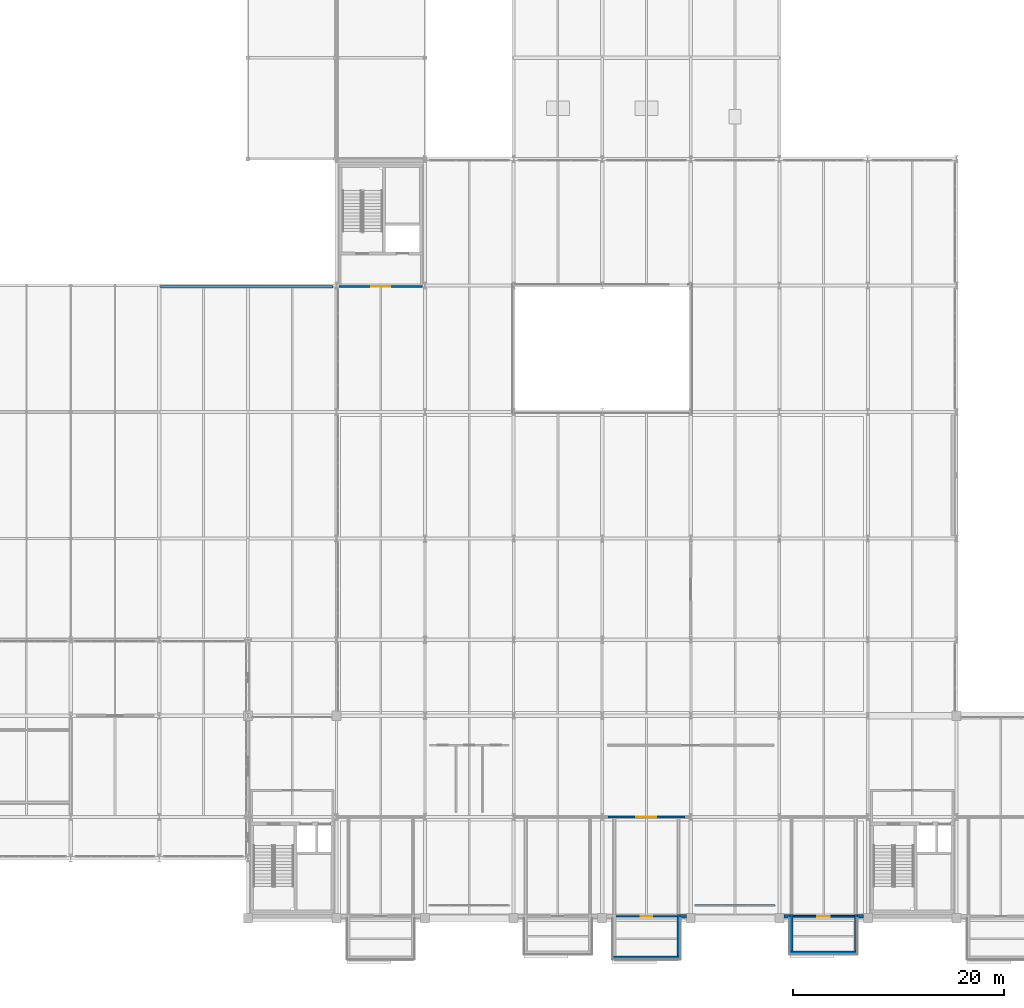
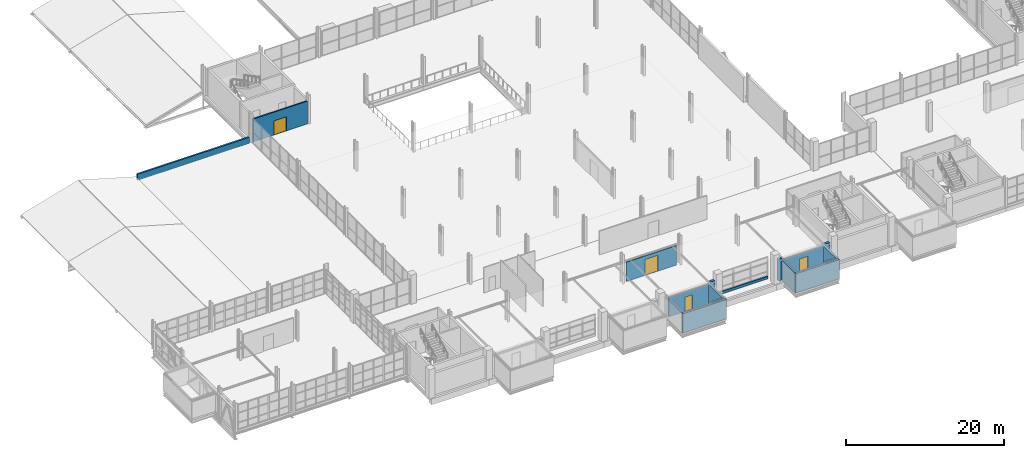
# One storey, part 119 of 130: 14 walls, 4 doors, 4 openings.
"""IFC4 building model written with IfcOpenShell, lengths in metres."""

from ifc_helpers import new_model, si_unit, direction, frame, frame_2d, origin, place, context, subcontext, project, spatial, rectangle, extrude, material, layer, layer_set, type_object, element, fill, save


model = new_model("IFC4")

# Units and contexts
model_context = context("Model", 3, precision=1e-05, world=origin(), true_north=direction((0.0, 1.0)))
body_context = subcontext(model_context, "Body", "Model", "MODEL_VIEW")
ifc_project = project(units=[si_unit("LENGTHUNIT", "METRE"), si_unit("AREAUNIT", "SQUARE_METRE"), si_unit("VOLUMEUNIT", "CUBIC_METRE"), si_unit("PLANEANGLEUNIT", "RADIAN"), si_unit("MASSUNIT", "GRAM", prefix="KILO")], contexts=[model_context])

# Site, building, storey
site_placement = place(None, origin())
site = spatial("IfcSite", under=ifc_project, at=site_placement, CompositionType="ELEMENT")
building_placement = place(site_placement, origin())
building = spatial("IfcBuilding", under=site, at=building_placement, Name="Veltarok Museum of Natural Sciences", CompositionType="ELEMENT")
storey_placement = place(building_placement, frame((0.0, 0.0, 12.89990234375)))
storey = spatial("IfcBuildingStorey", under=building, at=storey_placement, Name="L02", CompositionType="ELEMENT", Elevation=12.89990234375)

# Walls
ifc_material_1 = material(Name="Precast concrete C40/50", Category="concrete")
ifc_layer_1 = layer(ifc_material_1, 0.280029296875)
ifc_layer_set_1 = layer_set([ifc_layer_1], Name="Precast concrete C40/50")
wall_type_1 = type_object("IfcWallType", Name="Cabinet Box Insulated Backup Wall 280", PredefinedType="SOLIDWALL", material=ifc_layer_set_1)
wall_1_placement = place(storey_placement, frame((83.0, -3.260009765625, 0.0), z_axis=(0.0, 0.0, 1.0), x_axis=(1.0, 0.0, 0.0)))
element("IfcWall", 1, at=wall_1_placement, inside=storey, type_object=wall_type_1, Name="Cabinet Box Wall DB-10-S", PredefinedType="SOLIDWALL", context=body_context, shape_type="SweptSolid", body=[
    extrude(rectangle(XDim=6.39990234375, YDim=0.280029296875, at=frame_2d((3.199951171875, 0.0))), origin(), (0.0, 0.0, 1.0), 2.989990234375),
])
for number, where, z_axis, x_axis, name in (
    (2, (83.139892578125, 0.360107421875, 0.0), (0.0, 0.0, 1.0), (0.0, -1.0, 0.0), "Cabinet Box Wall DB-10-W"),
    (3, (89.260009765625, -3.1201171875, 0.0), (0.0, 0.0, 1.0), (0.0, 1.0, 0.0), "Cabinet Box Wall DB-10-E"),
):
    element("IfcWall", number, at=place(storey_placement, frame(where, z_axis=z_axis, x_axis=x_axis)), inside=storey, type_object=wall_type_1, Name=name, PredefinedType="SOLIDWALL", context=body_context, shape_type="SweptSolid", body=[
        extrude(rectangle(XDim=3.480224609375, YDim=0.280029296875, at=frame_2d((1.740234375, 0.0))), origin(), (0.0, 0.0, 1.0), 2.989990234375),
    ])
ifc_layer_2 = layer(ifc_material_1, 0.300048828125)
ifc_layer_set_2 = layer_set([ifc_layer_2], Name="Precast concrete C40/50")
wall_type_2 = type_object("IfcWallType", Name="Deep Cabinet Box Insulated Wall 300", PredefinedType="SOLIDWALL", material=ifc_layer_set_2)
wall_2_placement = place(storey_placement, frame((66.199951171875, -3.75, 0.0), z_axis=(0.0, 0.0, 1.0), x_axis=(1.0, 0.0, 0.0)))
element("IfcWall", 4, at=wall_2_placement, inside=storey, type_object=wall_type_2, Name="Cabinet Box Wall DB-09-S", PredefinedType="SOLIDWALL", context=body_context, shape_type="SweptSolid", body=[
    extrude(rectangle(XDim=6.400146484375, YDim=0.300048828125, at=frame_2d((3.2001953125, 0.0))), origin(), (0.0, 0.0, 1.0), 2.989990234375),
])
wall_3_placement = place(storey_placement, frame((72.449951171875, -3.60009765625, 0.0), z_axis=(0.0, 0.0, 1.0), x_axis=(0.0, 1.0, 0.0)))
element("IfcWall", 5, at=wall_3_placement, inside=storey, type_object=wall_type_2, Name="Cabinet Box Wall DB-09-E", PredefinedType="SOLIDWALL", context=body_context, shape_type="SweptSolid", body=[
    extrude(rectangle(XDim=3.960205078125, YDim=0.300048828125, at=frame_2d((1.97998046875, 0.0))), origin(), (0.0, 0.0, 1.0), 2.989990234375),
])

# Wall, opening, door
ifc_material_2 = material(Name="Acoustic gypsum and mineral wool")
ifc_layer_3 = layer(ifc_material_2, 0.179931640625)
ifc_layer_set_3 = layer_set([ifc_layer_3], Name="Acoustic gypsum and mineral wool")
wall_type_3 = type_object("IfcWallType", Name="Exhibition Gallery Partition 180", PredefinedType="PARTITIONING", material=ifc_layer_set_3)
wall_4_placement = place(storey_placement, frame((66.5, 0.179931640625, 0.0), z_axis=(0.0, 0.0, 1.0), x_axis=(1.0, 0.0, 0.0)))
wall_4 = element("IfcWall", 6, at=wall_4_placement, inside=storey, type_object=wall_type_3, Name="Cabinet Threshold Partition DB-09", PredefinedType="PARTITIONING", context=body_context, shape_type="SweptSolid", body=[
    extrude(rectangle(XDim=5.800048828125, YDim=0.179931640625, at=frame_2d((2.89990234375, 0.0))), origin(), (0.0, 0.0, 1.0), 2.989990234375),
])
opening_1_placement = place(wall_4_placement, frame((2.35009765625, 0.0, 0.0)))
opening_1 = element("IfcOpeningElement", 7, at=opening_1_placement, cuts=wall_4, Name="Opening D-L02-080", PredefinedType="OPENING", context=body_context, shape_type="SweptSolid", body=[
    extrude(rectangle(XDim=1.10009765625, YDim=2.199951171875, at=frame_2d((0.550048828125, 1.10009765625))), frame((0.0, 0.10009765625, 0.0), z_axis=(0.0, -1.0, 0.0), x_axis=(1.0, 0.0, 0.0)), (0.0, 0.0, 1.0), 0.199951171875),
])
ifc_material_3 = material(Name="Airtight powder-coated steel", Category="steel")
door_type_1 = type_object("IfcDoorType", Name="Cabinet Box Conservation Door 1100x2200", OperationType="NOTDEFINED", PredefinedType="DOOR", material=ifc_material_3)
door_1_placement = place(opening_1_placement, origin())
door_1 = element("IfcDoor", 8, at=door_1_placement, inside=storey, type_object=door_type_1, Name="Cabinet Conservation Door DB-09", OperationType="SINGLE_SWING_RIGHT", OverallHeight=2.199951171875, OverallWidth=1.10009765625, PredefinedType="DOOR", context=body_context, shape_type="SweptSolid", body=[
    extrude(rectangle(XDim=1.10009765625, YDim=2.199951171875, at=frame_2d((0.550048828125, 1.10009765625))), frame((0.0, 0.02490234375, 0.0), z_axis=(0.0, -1.0, 0.0), x_axis=(1.0, 0.0, 0.0)), (0.0, 0.0, 1.0), 0.050048828125),
])
fill(opening_1, door_1)

wall_5_placement = place(storey_placement, frame((83.280029296875, 0.179931640625, 0.0), z_axis=(0.0, 0.0, 1.0), x_axis=(1.0, 0.0, 0.0)))
wall_5 = element("IfcWall", 9, at=wall_5_placement, inside=storey, type_object=wall_type_3, Name="Cabinet Threshold Partition DB-10", PredefinedType="PARTITIONING", context=body_context, shape_type="SweptSolid", body=[
    extrude(rectangle(XDim=5.840087890625, YDim=0.179931640625, at=frame_2d((2.919921875, 0.0))), origin(), (0.0, 0.0, 1.0), 2.989990234375),
])
opening_2_placement = place(wall_5_placement, frame((2.330078125, 0.0, 0.0)))
opening_2 = element("IfcOpeningElement", 10, at=opening_2_placement, cuts=wall_5, Name="Opening D-L02-081", PredefinedType="OPENING", context=body_context, shape_type="SweptSolid", body=[
    extrude(rectangle(XDim=1.179931640625, YDim=2.25, at=frame_2d((0.58984375, 1.125))), frame((0.0, 0.10009765625, 0.0), z_axis=(0.0, -1.0, 0.0), x_axis=(1.0, 0.0, 0.0)), (0.0, 0.0, 1.0), 0.199951171875),
])
door_type_2 = type_object("IfcDoorType", Name="Large Cabinet Conservation Door 1180x2250", OperationType="NOTDEFINED", PredefinedType="DOOR", material=ifc_material_3)
door_2_placement = place(opening_2_placement, origin())
door_2 = element("IfcDoor", 11, at=door_2_placement, inside=storey, type_object=door_type_2, Name="Cabinet Conservation Door DB-10", OperationType="SINGLE_SWING_LEFT", OverallHeight=2.25, OverallWidth=1.179931640625, PredefinedType="DOOR", context=body_context, shape_type="SweptSolid", body=[
    extrude(rectangle(XDim=1.179931640625, YDim=2.25, at=frame_2d((0.58984375, 1.125))), frame((0.0, 0.02490234375, 0.0), z_axis=(0.0, -1.0, 0.0), x_axis=(1.0, 0.0, 0.0)), (0.0, 0.0, 1.0), 0.050048828125),
])
fill(opening_2, door_2)

wall_6_placement = place(storey_placement, frame((65.75, 9.60009765625, 0.0), z_axis=(0.0, 0.0, 1.0), x_axis=(1.0, 0.0, 0.0)))
wall_6 = element("IfcWall", 12, at=wall_6_placement, inside=storey, type_object=wall_type_3, Name="Interior Partition L02-037", PredefinedType="PARTITIONING", context=body_context, shape_type="SweptSolid", body=[
    extrude(rectangle(XDim=7.300048828125, YDim=0.179931640625, at=frame_2d((3.64990234375, 0.0))), origin(), (0.0, 0.0, 1.0), 2.9921875),
])
opening_3_placement = place(wall_6_placement, frame((2.699951171875, 0.0, 0.0)))
opening_3 = element("IfcOpeningElement", 13, at=opening_3_placement, cuts=wall_6, Name="Opening D-L02-163", PredefinedType="OPENING", context=body_context, shape_type="SweptSolid", body=[
    extrude(rectangle(XDim=1.89990234375, YDim=2.449951171875, at=frame_2d((0.949951171875, 1.22509765625))), frame((0.0, 0.10009765625, 0.0), z_axis=(0.0, -1.0, 0.0), x_axis=(1.0, 0.0, 0.0)), (0.0, 0.0, 1.0), 0.199951171875),
])
ifc_material_4 = material(Name="Solid European oak and acoustic glass", Category="glass")
door_type_3 = type_object("IfcDoorType", Name="Exhibition Hall Double Door 1900x2450", OperationType="NOTDEFINED", PredefinedType="DOOR", material=ifc_material_4)
door_3_placement = place(opening_3_placement, origin())
door_3 = element("IfcDoor", 14, at=door_3_placement, inside=storey, type_object=door_type_3, Name="Interior Door D-L02-163", OperationType="DOUBLE_DOOR_SINGLE_SWING", OverallHeight=2.449951171875, OverallWidth=1.89990234375, PredefinedType="DOOR", context=body_context, shape_type="SweptSolid", body=[
    extrude(rectangle(XDim=1.89990234375, YDim=2.449951171875, at=frame_2d((0.949951171875, 1.22509765625))), frame((0.0, 0.02490234375, 0.0), z_axis=(0.0, -1.0, 0.0), x_axis=(1.0, 0.0, 0.0)), (0.0, 0.0, 1.0), 0.050048828125),
])
fill(opening_3, door_3)

# Walls
ifc_material_5 = material(Name="Concrete C40/50", Category="concrete")
ifc_layer_4 = layer(ifc_material_5, 0.360107421875)
ifc_layer_set_4 = layer_set([ifc_layer_4], Name="Concrete C40/50")
wall_type_4 = type_object("IfcWallType", Name="Exposed Architectural Concrete Facade Wall 360", PredefinedType="SOLIDWALL", material=ifc_layer_set_4)
for number, where, z_axis, x_axis, name in (
    (15, (72.60009765625, 0.179931640625, 0.0), (0.0, 0.0, 1.0), (1.0, 0.0, 0.0), "Cabinet Collar Wall L02 8-9R"),
    (16, (82.425048828125, 0.179931640625, 0.0), (0.0, 0.0, 1.0), (1.0, 0.0, 0.0), "Cabinet Collar Wall L02 10-11L"),
):
    element("IfcWall", number, at=place(storey_placement, frame(where, z_axis=z_axis, x_axis=x_axis)), inside=storey, type_object=wall_type_4, Name=name, PredefinedType="SOLIDWALL", context=body_context, shape_type="SweptSolid", body=[
        extrude(rectangle(XDim=0.574951171875, YDim=0.360107421875, at=frame_2d((0.28759765625, 0.0))), origin(), (0.0, 0.0, 1.0), 3.335205078125),
    ])
wall_7_placement = place(storey_placement, frame((89.39990234375, 0.179931640625, 0.0), z_axis=(0.0, 0.0, 1.0), x_axis=(1.0, 0.0, 0.0)))
element("IfcWall", 17, at=wall_7_placement, inside=storey, type_object=wall_type_4, Name="Cabinet Collar Wall L02 10-11R", PredefinedType="SOLIDWALL", context=body_context, shape_type="SweptSolid", body=[
    extrude(rectangle(XDim=0.5751953125, YDim=0.360107421875, at=frame_2d((0.28759765625, 0.0))), origin(), (0.0, 0.0, 1.0), 3.335205078125),
])

# Wall, opening, door
ifc_material_6 = material(Name="Concrete C35/45", Category="concrete")
ifc_layer_5 = layer(ifc_material_6, 0.199951171875)
ifc_layer_set_5 = layer_set([ifc_layer_5], Name="Concrete C35/45")
wall_type_5 = type_object("IfcWallType", Name="Firefighting Lobby Compartment Wall 200", PredefinedType="SOLIDWALL", material=ifc_layer_set_5)
wall_8_placement = place(storey_placement, frame((48.169921875, 59.89990234375, 0.0), z_axis=(0.0, 0.0, 1.0), x_axis=(-1.0, 0.0, 0.0)))
wall_8 = element("IfcWall", 18, at=wall_8_placement, inside=storey, type_object=wall_type_5, Name="Firefighting Lobby Wall C3 L02 S", PredefinedType="SOLIDWALL", context=body_context, shape_type="SweptSolid", body=[
    extrude(rectangle(XDim=7.93994140625, YDim=0.199951171875, at=frame_2d((3.969970703125, 0.0))), origin(), (0.0, 0.0, 1.0), 3.531982421875),
])
opening_4_placement = place(wall_8_placement, frame((3.070068359375, 0.0, 0.0)))
opening_4 = element("IfcOpeningElement", 19, at=opening_4_placement, cuts=wall_8, Name="Opening D-L02-040", PredefinedType="OPENING", context=body_context, shape_type="SweptSolid", body=[
    extrude(rectangle(XDim=1.800048828125, YDim=2.199951171875, at=frame_2d((0.89990234375, 1.10009765625))), frame((0.0, 0.10986328125, 0.0), z_axis=(0.0, -1.0, 0.0), x_axis=(1.0, 0.0, 0.0)), (0.0, 0.0, 1.0), 0.219970703125),
])
ifc_material_7 = material(Name="Fire-rated steel and vision glass", Category="steel")
door_type_4 = type_object("IfcDoorType", Name="Fire Lobby Double Door 1800x2200", OperationType="NOTDEFINED", PredefinedType="DOOR", material=ifc_material_7)
door_4_placement = place(opening_4_placement, origin())
door_4 = element("IfcDoor", 20, at=door_4_placement, inside=storey, type_object=door_type_4, Name="Firefighting Lobby Entrance Door C3 L02", OperationType="DOUBLE_DOOR_SINGLE_SWING", OverallHeight=2.199951171875, OverallWidth=1.800048828125, PredefinedType="DOOR", context=body_context, shape_type="SweptSolid", body=[
    extrude(rectangle(XDim=1.800048828125, YDim=2.199951171875, at=frame_2d((0.89990234375, 1.10009765625))), frame((0.0, 0.02490234375, 0.0), z_axis=(0.0, -1.0, 0.0), x_axis=(1.0, 0.0, 0.0)), (0.0, 0.0, 1.0), 0.050048828125),
])
fill(opening_4, door_4)

# Walls
ifc_layer_6 = layer(ifc_material_1, 0.239990234375)
ifc_layer_set_6 = layer_set([ifc_layer_6], Name="Precast concrete C40/50")
wall_type_6 = type_object("IfcWallType", Name="Flat Roof Concrete Parapet Wall 240", PredefinedType="PARAPET", material=ifc_layer_set_6)
wall_9_placement = place(storey_placement, frame((23.320068359375, 59.8798828125, 0.0), z_axis=(0.0, 0.0, 1.0), x_axis=(1.0, 0.0, 0.0)))
element("IfcWall", 21, at=wall_9_placement, inside=storey, type_object=wall_type_6, Name="Roof Parapet Wall L02-06", PredefinedType="PARAPET", context=body_context, shape_type="SweptSolid", body=[
    extrude(rectangle(XDim=16.329833984375, YDim=0.239990234375, at=frame_2d((8.1650390625, 0.0))), origin(), (0.0, 0.0, 1.0), 0.9501953125),
])
ifc_layer_7 = layer(ifc_material_1, 0.219970703125)
ifc_layer_set_7 = layer_set([ifc_layer_7], Name="Precast concrete C40/50")
wall_type_7 = type_object("IfcWallType", Name="Terrace Upstand Curb Wall 220", PredefinedType="PARAPET", material=ifc_layer_set_7)
wall_10_placement = place(storey_placement, frame((74.02490234375, 1.199951171875, -0.001953125), z_axis=(0.0, 0.0, 1.0), x_axis=(1.0, 0.0, 0.0)))
element("IfcWall", 22, at=wall_10_placement, inside=storey, type_object=wall_type_7, Name="Curtain Wall Sill Upstand CW-0004", PredefinedType="PARAPET", context=body_context, shape_type="SweptSolid", body=[
    extrude(rectangle(XDim=7.550048828125, YDim=0.219970703125, at=frame_2d((3.77490234375, 0.0))), origin(), (0.0, 0.0, 1.0), 0.406005859375),
])

save(model, "model.ifc")
